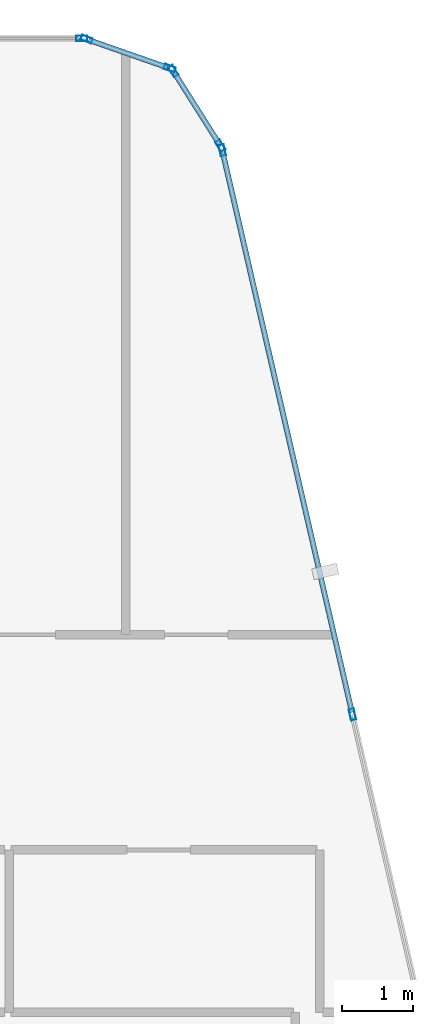
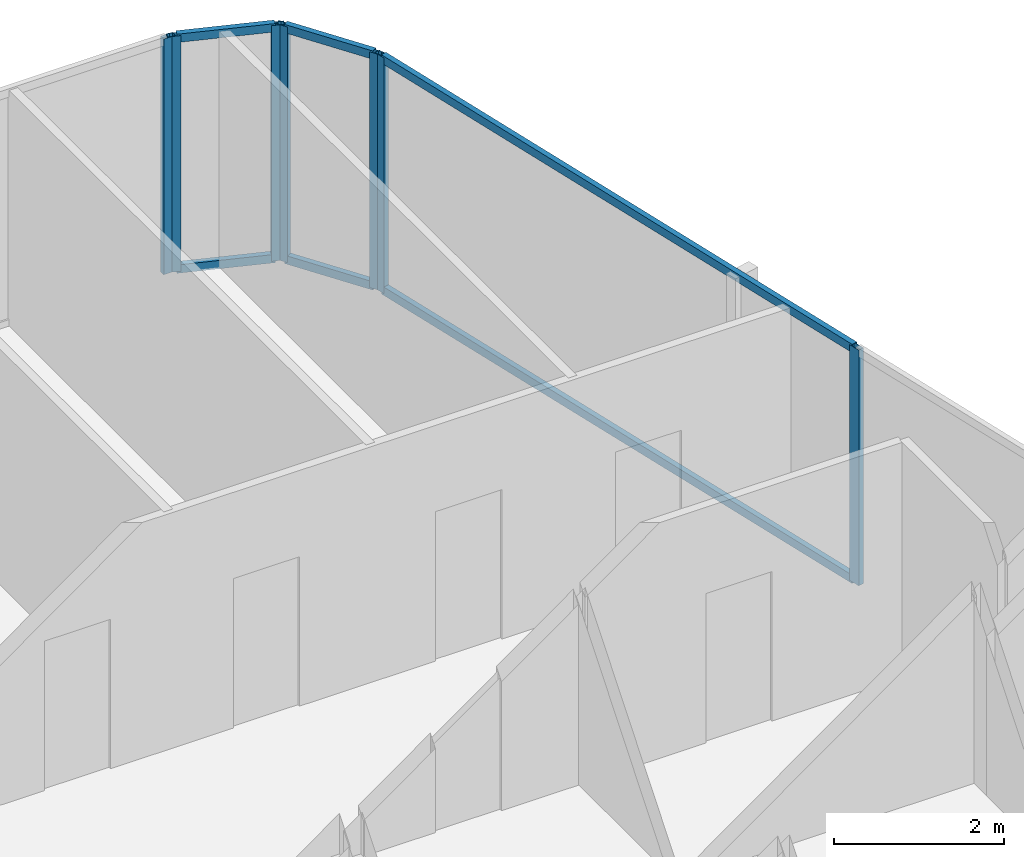
# One storey, part 19 of 28: 13 members, 4 elements without a shape of their own.
"""IFC4 building model written with IfcOpenShell, lengths in metres."""

from ifc_helpers import new_model, si_unit, direction, frame, origin, origin_2d, place, context, subcontext, project, spatial, hollow_rectangle, extrude, material, layer, layer_set, material_profile, profile_set, type_object, element, aggregate, save


model = new_model("IFC4")

# Units and contexts
model_context = context("Model", 3, precision=1e-05, world=origin(), true_north=direction((0.0, 1.0)))
body_context = subcontext(model_context, "Body", "Model", "MODEL_VIEW")
ifc_project = project(units=[si_unit("LENGTHUNIT", "METRE"), si_unit("AREAUNIT", "SQUARE_METRE"), si_unit("VOLUMEUNIT", "CUBIC_METRE"), si_unit("PLANEANGLEUNIT", "RADIAN"), si_unit("MASSUNIT", "GRAM", prefix="KILO")], contexts=[model_context])

# Site, building, storey
site_placement = place(None, origin())
site = spatial("IfcSite", under=ifc_project, at=site_placement, CompositionType="ELEMENT")
building_placement = place(site_placement, origin())
building = spatial("IfcBuilding", under=site, at=building_placement, Name="Keshet Zoharim Tower", CompositionType="ELEMENT")
storey_placement = place(building_placement, frame((0.0, 0.0, 258.39990234375)))
storey = spatial("IfcBuildingStorey", under=building, at=storey_placement, Name="L64", CompositionType="ELEMENT", Elevation=258.39990234375)

# Curtain wall, member
ifc_material = material(Name="Aluminium 6063-T6", Category="aluminium")
ifc_layer = layer(ifc_material, 0.260009765625)
ifc_layer_set = layer_set([ifc_layer], Name="Aluminium 6063-T6")
curtain_wall_type = type_object("IfcCurtainWallType", Name="CW-SYS-06", PredefinedType="NOTDEFINED", material=ifc_layer_set)
curtain_wall_1_placement = place(storey_placement, origin())
curtain_wall_1 = element("IfcCurtainWall", 1, at=curtain_wall_1_placement, inside=storey, type_object=curtain_wall_type, Name="L64 Unitised Curtain Wall 06 Part 5", PredefinedType="NOTDEFINED")
ifc_material_profile_1 = material_profile(ifc_material, hollow_rectangle(XDim=0.074951171875, YDim=0.159912109375, WallThickness=0.00390625, at=origin_2d()), Name="MUL-75x160")
ifc_profile_set_1 = profile_set([ifc_material_profile_1], Name="Aluminium 6063-T6")
member_type_1 = type_object("IfcMemberType", Name="CWM-M15", PredefinedType="MULLION", material=ifc_profile_set_1)
member_1_placement = place(storey_placement, frame((37.3740234375, 53.89990234375, 0.0), z_axis=(0.0, 0.0, 1.0), x_axis=(0.0, 1.0, 0.0)))
member_1 = element("IfcMember", 2, at=member_1_placement, type_object=member_type_1, Name="CW-06 mullion 2", PredefinedType="MULLION", context=body_context, shape_type="SweptSolid", body=[
    extrude(hollow_rectangle(XDim=0.074951171875, YDim=0.159912109375, WallThickness=0.00390625, at=origin_2d()), origin(), (0.0, 0.0, 1.0), 3.39013671875),
])
aggregate(curtain_wall_1, [member_1])

# Curtain wall, members
curtain_wall_2_placement = place(storey_placement, origin())
curtain_wall_2 = element("IfcCurtainWall", 3, at=curtain_wall_2_placement, inside=storey, type_object=curtain_wall_type, Name="L64 Unitised Curtain Wall 07", PredefinedType="NOTDEFINED")
member_2_placement = place(storey_placement, frame((37.442138671875, 53.888427734375, 0.0), z_axis=(0.0, 0.0, 1.0), x_axis=(0.329843743636, 0.944035542119, 0.0)))
member_2 = element("IfcMember", 4, at=member_2_placement, type_object=member_type_1, Name="CW-06 mullion 1", PredefinedType="MULLION", context=body_context, shape_type="SweptSolid", body=[
    extrude(hollow_rectangle(XDim=0.074951171875, YDim=0.159912109375, WallThickness=0.00390625, at=origin_2d()), origin(), (0.0, 0.0, 1.0), 3.39013671875),
])
member_3_placement = place(storey_placement, frame((38.620849609375, 53.4765625, 0.0), z_axis=(0.0, 0.0, 1.0), x_axis=(0.329843743636, 0.944035542119, 0.0)))
member_3 = element("IfcMember", 5, at=member_3_placement, type_object=member_type_1, Name="CW-06 mullion 2", PredefinedType="MULLION", context=body_context, shape_type="SweptSolid", body=[
    extrude(hollow_rectangle(XDim=0.074951171875, YDim=0.159912109375, WallThickness=0.00390625, at=origin_2d()), origin(), (0.0, 0.0, 1.0), 3.39013671875),
])

curtain_wall_3_placement = place(storey_placement, origin())
curtain_wall_3 = element("IfcCurtainWall", 6, at=curtain_wall_3_placement, inside=storey, type_object=curtain_wall_type, Name="L64 Unitised Curtain Wall 08", PredefinedType="NOTDEFINED")
member_4_placement = place(storey_placement, frame((38.672607421875, 53.435302734375, 0.0), z_axis=(0.0, 0.0, 1.0), x_axis=(0.845560976183, 0.533878858502, 0.0)))
member_4 = element("IfcMember", 7, at=member_4_placement, type_object=member_type_1, Name="CW-06 mullion 1", PredefinedType="MULLION", context=body_context, shape_type="SweptSolid", body=[
    extrude(hollow_rectangle(XDim=0.074951171875, YDim=0.159912109375, WallThickness=0.00390625, at=origin_2d()), origin(), (0.0, 0.0, 1.0), 3.39013671875),
])
member_5_placement = place(storey_placement, frame((39.33935546875, 52.379638671875, 0.0), z_axis=(0.0, 0.0, 1.0), x_axis=(0.845560976183, 0.533878858502, 0.0)))
member_5 = element("IfcMember", 8, at=member_5_placement, type_object=member_type_1, Name="CW-06 mullion 2", PredefinedType="MULLION", context=body_context, shape_type="SweptSolid", body=[
    extrude(hollow_rectangle(XDim=0.074951171875, YDim=0.159912109375, WallThickness=0.00390625, at=origin_2d()), origin(), (0.0, 0.0, 1.0), 3.39013671875),
])

curtain_wall_4_placement = place(storey_placement, origin())
curtain_wall_4 = element("IfcCurtainWall", 9, at=curtain_wall_4_placement, inside=storey, type_object=curtain_wall_type, Name="L64 Unitised Curtain Wall 09", PredefinedType="NOTDEFINED")
member_6_placement = place(storey_placement, frame((39.365966796875, 52.31591796875, 0.0), z_axis=(0.0, 0.0, 1.0), x_axis=(0.974398012932, 0.224829963294, 0.0)))
member_6 = element("IfcMember", 10, at=member_6_placement, type_object=member_type_1, Name="CW-06 mullion 1", PredefinedType="MULLION", context=body_context, shape_type="SweptSolid", body=[
    extrude(hollow_rectangle(XDim=0.074951171875, YDim=0.159912109375, WallThickness=0.00390625, at=origin_2d()), origin(), (0.0, 0.0, 1.0), 3.39013671875),
])
member_7_placement = place(storey_placement, frame((41.210693359375, 44.320556640625, 0.0), z_axis=(0.0, 0.0, 1.0), x_axis=(0.974398012932, 0.224829963294, 0.0)))
member_7 = element("IfcMember", 11, at=member_7_placement, type_object=member_type_1, Name="CW-06 mullion 2", PredefinedType="MULLION", context=body_context, shape_type="SweptSolid", body=[
    extrude(hollow_rectangle(XDim=0.074951171875, YDim=0.159912109375, WallThickness=0.00390625, at=origin_2d()), origin(), (0.0, 0.0, 1.0), 3.39013671875),
])

# Member
ifc_material_profile_2 = material_profile(ifc_material, hollow_rectangle(XDim=0.074951171875, YDim=0.1201171875, WallThickness=0.00390625, at=origin_2d()), Name="TRN-75x120")
ifc_profile_set_2 = profile_set([ifc_material_profile_2], Name="Aluminium 6063-T6")
member_type_2 = type_object("IfcMemberType", Name="CWT-T12", PredefinedType="USERDEFINED", material=ifc_profile_set_2)
member_8_placement = place(storey_placement, frame((37.47509765625, 53.876953125, 0.03515625), z_axis=(0.944006789648, -0.329926023675, 0.0), x_axis=(0.329926023675, 0.944006789648, 0.0)))
member_8 = element("IfcMember", 12, at=member_8_placement, type_object=member_type_2, Name="CW-06 transom 1.1", ObjectType="TRANSOM", PredefinedType="USERDEFINED", context=body_context, shape_type="SweptSolid", body=[
    extrude(hollow_rectangle(XDim=0.074951171875, YDim=0.1201171875, WallThickness=0.00390625, at=origin_2d()), origin(), (0.0, 0.0, 1.0), 1.1787109375),
])

member_9_placement = place(storey_placement, frame((37.47509765625, 53.876953125, 3.35498046875), z_axis=(0.944006789648, -0.329926023675, 0.0), x_axis=(0.329926023675, 0.944006789648, 0.0)))
member_9 = element("IfcMember", 13, at=member_9_placement, type_object=member_type_2, Name="CW-06 transom 1.2", ObjectType="TRANSOM", PredefinedType="USERDEFINED", context=body_context, shape_type="SweptSolid", body=[
    extrude(hollow_rectangle(XDim=0.074951171875, YDim=0.1201171875, WallThickness=0.00390625, at=origin_2d()), origin(), (0.0, 0.0, 1.0), 1.1787109375),
])

aggregate(curtain_wall_2, [member_2, member_3, member_8, member_9])

member_10_placement = place(storey_placement, frame((38.69140625, 53.40576171875, 0.03515625), z_axis=(0.53382931122, -0.845592257819, 0.0), x_axis=(0.845592257819, 0.53382931122, 0.0)))
member_10 = element("IfcMember", 14, at=member_10_placement, type_object=member_type_2, Name="CW-06 transom 1.1", ObjectType="TRANSOM", PredefinedType="USERDEFINED", context=body_context, shape_type="SweptSolid", body=[
    extrude(hollow_rectangle(XDim=0.074951171875, YDim=0.1201171875, WallThickness=0.00390625, at=origin_2d()), origin(), (0.0, 0.0, 1.0), 1.178466796875),
])

member_11_placement = place(storey_placement, frame((38.69140625, 53.40576171875, 3.35498046875), z_axis=(0.53382931122, -0.845592257819, 0.0), x_axis=(0.845592257819, 0.53382931122, 0.0)))
member_11 = element("IfcMember", 15, at=member_11_placement, type_object=member_type_2, Name="CW-06 transom 1.2", ObjectType="TRANSOM", PredefinedType="USERDEFINED", context=body_context, shape_type="SweptSolid", body=[
    extrude(hollow_rectangle(XDim=0.074951171875, YDim=0.1201171875, WallThickness=0.00390625, at=origin_2d()), origin(), (0.0, 0.0, 1.0), 1.178466796875),
])

aggregate(curtain_wall_3, [member_4, member_5, member_10, member_11])

member_12_placement = place(storey_placement, frame((39.373779296875, 52.28173828125, 0.03515625), z_axis=(0.224835397421, -0.97439675906, 0.0), x_axis=(0.97439675906, 0.224835397421, 0.0)))
member_12 = element("IfcMember", 16, at=member_12_placement, type_object=member_type_2, Name="CW-06 transom 1.1", ObjectType="TRANSOM", PredefinedType="USERDEFINED", context=body_context, shape_type="SweptSolid", body=[
    extrude(hollow_rectangle(XDim=0.074951171875, YDim=0.1201171875, WallThickness=0.00390625, at=origin_2d()), origin(), (0.0, 0.0, 1.0), 8.13525390625),
])

member_13_placement = place(storey_placement, frame((39.373779296875, 52.28173828125, 3.35498046875), z_axis=(0.224835397421, -0.97439675906, 0.0), x_axis=(0.97439675906, 0.224835397421, 0.0)))
member_13 = element("IfcMember", 17, at=member_13_placement, type_object=member_type_2, Name="CW-06 transom 1.2", ObjectType="TRANSOM", PredefinedType="USERDEFINED", context=body_context, shape_type="SweptSolid", body=[
    extrude(hollow_rectangle(XDim=0.074951171875, YDim=0.1201171875, WallThickness=0.00390625, at=origin_2d()), origin(), (0.0, 0.0, 1.0), 8.13525390625),
])

aggregate(curtain_wall_4, [member_6, member_7, member_12, member_13])

save(model, "model.ifc")
